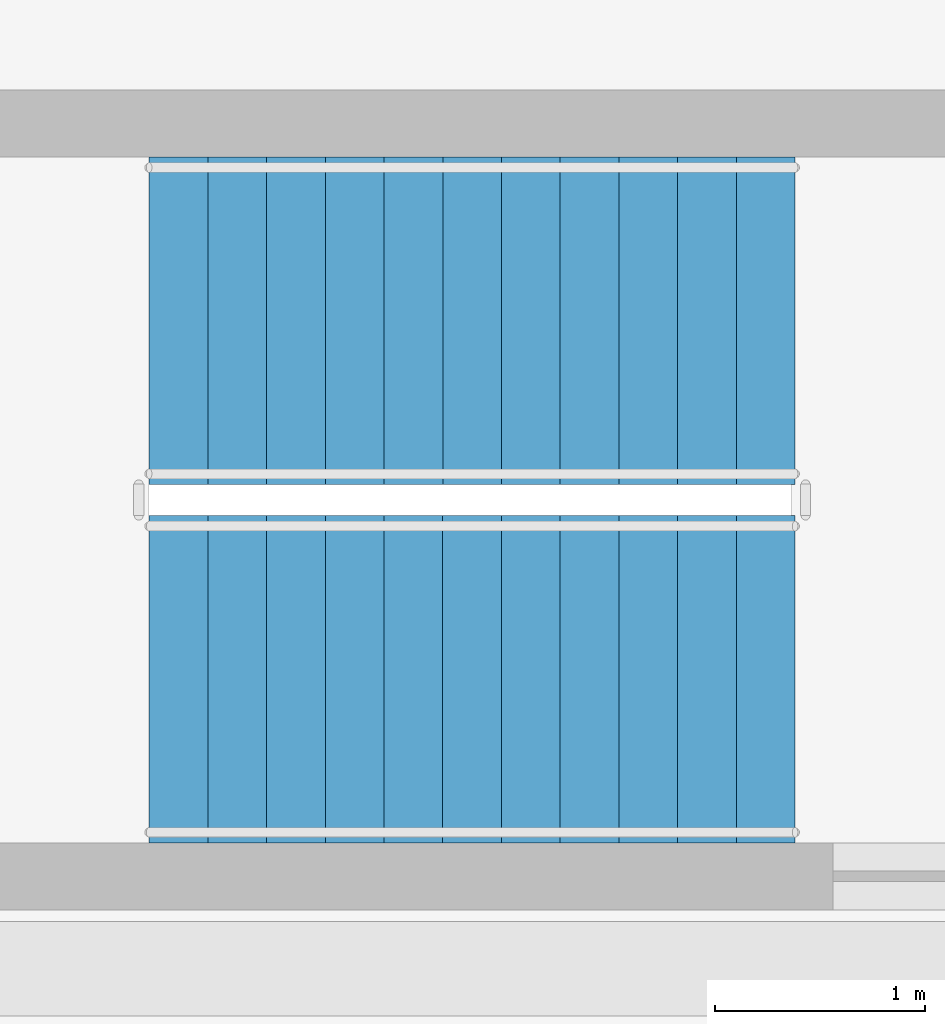
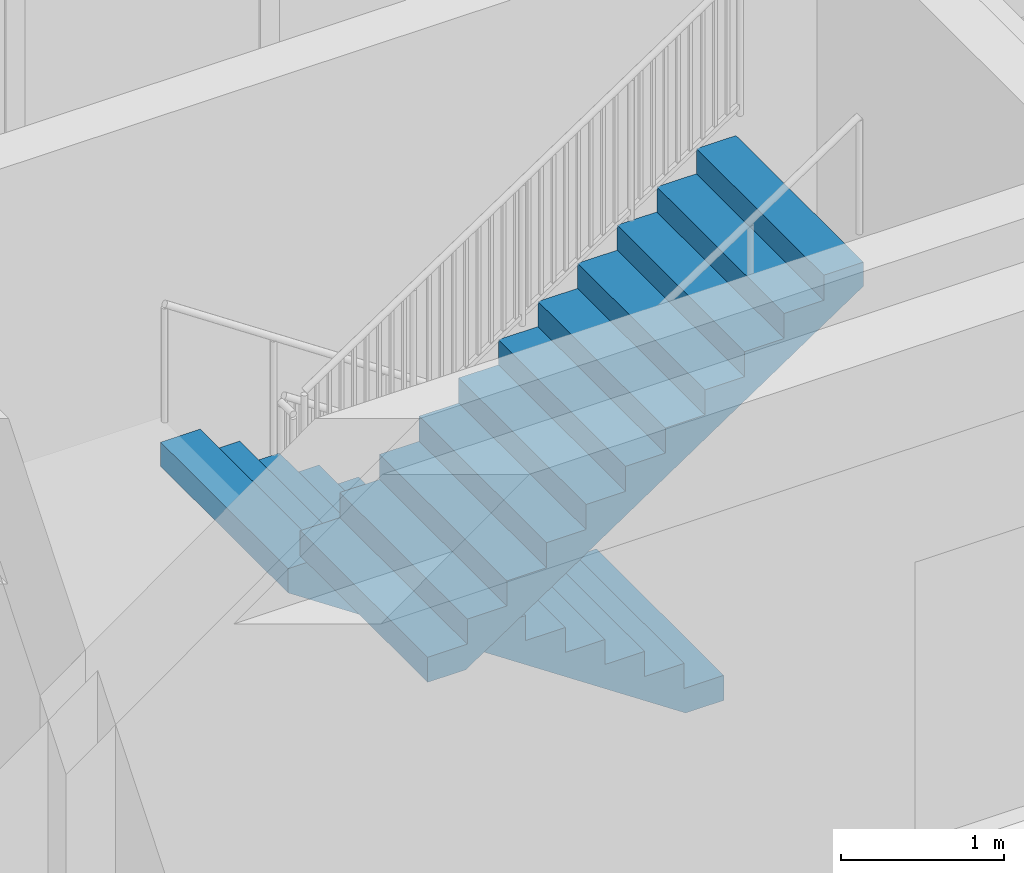
# One storey, part 65 of 79: 2 stair flights, 1 element without a shape of its own.
"""IFC4 building model written with IfcOpenShell, lengths in metres."""

from ifc_helpers import new_model, si_unit, direction, frame, origin, place, context, subcontext, project, spatial, polygons, material, type_object, element, aggregate, save


model = new_model("IFC4")

# Units and contexts
model_context = context("Model", 3, precision=1e-05, world=origin(), true_north=direction((0.0, 1.0)))
body_context = subcontext(model_context, "Body", "Model", "MODEL_VIEW")
ifc_project = project(units=[si_unit("LENGTHUNIT", "METRE"), si_unit("AREAUNIT", "SQUARE_METRE"), si_unit("VOLUMEUNIT", "CUBIC_METRE"), si_unit("PLANEANGLEUNIT", "RADIAN"), si_unit("MASSUNIT", "GRAM", prefix="KILO")], contexts=[model_context])

# Site, building, storey
site_placement = place(None, origin())
site = spatial("IfcSite", under=ifc_project, at=site_placement, CompositionType="ELEMENT")
building_placement = place(site_placement, origin())
building = spatial("IfcBuilding", under=site, at=building_placement, Name="Zantavel Square City Hall", CompositionType="ELEMENT")
storey_placement = place(building_placement, frame((0.0, 0.0, 10.199951171875)))
storey = spatial("IfcBuildingStorey", under=building, at=storey_placement, Name="L03", CompositionType="ELEMENT", Elevation=10.199951171875)

# Stair, stair flights
ifc_material = material(Name="Concrete C35/45", Category="concrete")
stair_type = type_object("IfcStairType", Name="Enclosed Core Dogleg Stair L03 H4500", PredefinedType="HALF_TURN_STAIR", material=ifc_material)
stair_placement = place(storey_placement, origin())
stair = element("IfcStair", 1, at=stair_placement, inside=storey, type_object=stair_type, Name="L03 Exit Stair 6 Central East Core", PredefinedType="HALF_TURN_STAIR")
stair_flight_type = type_object("IfcStairFlightType", Name="Enclosed Core Stair Flight L03 W1560", PredefinedType="STRAIGHT", material=ifc_material)
stair_flight_1_placement = place(storey_placement, frame((101.969970703125, 63.889892578125, 0.0), z_axis=(0.0, 0.0, 1.0), x_axis=(-1.0, 0.0, 0.0)))
stair_flight_1 = element("IfcStairFlight", 2, at=stair_flight_1_placement, type_object=stair_flight_type, Name="ST6 flight 1", NumberOfRisers=12, NumberOfTreads=11, PredefinedType="STRAIGHT", RiserHeight=0.1875, TreadLength=0.28, context=body_context, shape_type="Tessellation", body=[
    polygons([(0.26953125, -0.780029296875, 0.0), (3.080078125, -0.780029296875, 1.882080078125), (3.080078125, -0.780029296875, 2.0625), (2.800048828125, -0.780029296875, 2.0625), (2.800048828125, -0.780029296875, 1.875), (2.52001953125, -0.780029296875, 1.875), (2.52001953125, -0.780029296875, 1.6875), (2.239990234375, -0.780029296875, 1.6875), (2.239990234375, -0.780029296875, 1.5), (1.9599609375, -0.780029296875, 1.5), (1.9599609375, -0.780029296875, 1.3125), (1.679931640625, -0.780029296875, 1.3125), (1.679931640625, -0.780029296875, 1.125), (1.39990234375, -0.780029296875, 1.125), (1.39990234375, -0.780029296875, 0.9375), (1.1201171875, -0.780029296875, 0.9375), (1.1201171875, -0.780029296875, 0.75), (0.840087890625, -0.780029296875, 0.75), (0.840087890625, -0.780029296875, 0.5625), (0.56005859375, -0.780029296875, 0.5625), (0.56005859375, -0.780029296875, 0.375), (0.280029296875, -0.780029296875, 0.375), (0.280029296875, -0.780029296875, 0.1875), (0.0, -0.780029296875, 0.1875), (0.0, -0.780029296875, 0.0), (0.26953125, -0.5849609375, 0.0), (3.080078125, -0.5849609375, 1.882080078125), (3.080078125, -0.5849609375, 2.0625), (2.800048828125, -0.5849609375, 2.0625), (2.800048828125, -0.5849609375, 1.875), (2.52001953125, -0.5849609375, 1.875), (2.52001953125, -0.5849609375, 1.6875), (2.239990234375, -0.5849609375, 1.6875), (2.239990234375, -0.5849609375, 1.5), (1.9599609375, -0.5849609375, 1.5), (1.9599609375, -0.5849609375, 1.3125), (1.679931640625, -0.5849609375, 1.3125), (1.679931640625, -0.5849609375, 1.125), (1.39990234375, -0.5849609375, 1.125), (1.39990234375, -0.5849609375, 0.9375), (1.1201171875, -0.5849609375, 0.9375), (1.1201171875, -0.5849609375, 0.75), (0.840087890625, -0.5849609375, 0.75), (0.840087890625, -0.5849609375, 0.5625), (0.56005859375, -0.5849609375, 0.5625), (0.56005859375, -0.5849609375, 0.375), (0.280029296875, -0.5849609375, 0.375), (0.280029296875, -0.5849609375, 0.1875), (0.0, -0.5849609375, 0.1875), (0.0, -0.5849609375, 0.0), (0.26953125, -0.39013671875, 0.0), (3.080078125, -0.39013671875, 1.882080078125), (3.080078125, -0.39013671875, 2.0625), (2.800048828125, -0.39013671875, 2.0625), (2.800048828125, -0.39013671875, 1.875), (2.52001953125, -0.39013671875, 1.875), (2.52001953125, -0.39013671875, 1.6875), (2.239990234375, -0.39013671875, 1.6875), (2.239990234375, -0.39013671875, 1.5), (1.9599609375, -0.39013671875, 1.5), (1.9599609375, -0.39013671875, 1.3125), (1.679931640625, -0.39013671875, 1.3125), (1.679931640625, -0.39013671875, 1.125), (1.39990234375, -0.39013671875, 1.125), (1.39990234375, -0.39013671875, 0.9375), (1.1201171875, -0.39013671875, 0.9375), (1.1201171875, -0.39013671875, 0.75), (0.840087890625, -0.39013671875, 0.75), (0.840087890625, -0.39013671875, 0.5625), (0.56005859375, -0.39013671875, 0.5625), (0.56005859375, -0.39013671875, 0.375), (0.280029296875, -0.39013671875, 0.375), (0.280029296875, -0.39013671875, 0.1875), (0.0, -0.39013671875, 0.1875), (0.0, -0.39013671875, 0.0), (0.26953125, -0.195068359375, 0.0), (3.080078125, -0.195068359375, 1.882080078125), (3.080078125, -0.195068359375, 2.0625), (2.800048828125, -0.195068359375, 2.0625), (2.800048828125, -0.195068359375, 1.875), (2.52001953125, -0.195068359375, 1.875), (2.52001953125, -0.195068359375, 1.6875), (2.239990234375, -0.195068359375, 1.6875), (2.239990234375, -0.195068359375, 1.5), (1.9599609375, -0.195068359375, 1.5), (1.9599609375, -0.195068359375, 1.3125), (1.679931640625, -0.195068359375, 1.3125), (1.679931640625, -0.195068359375, 1.125), (1.39990234375, -0.195068359375, 1.125), (1.39990234375, -0.195068359375, 0.9375), (1.1201171875, -0.195068359375, 0.9375), (1.1201171875, -0.195068359375, 0.75), (0.840087890625, -0.195068359375, 0.75), (0.840087890625, -0.195068359375, 0.5625), (0.56005859375, -0.195068359375, 0.5625), (0.56005859375, -0.195068359375, 0.375), (0.280029296875, -0.195068359375, 0.375), (0.280029296875, -0.195068359375, 0.1875), (0.0, -0.195068359375, 0.1875), (0.0, -0.195068359375, 0.0), (0.26953125, 0.0, 0.0), (3.080078125, 0.0, 1.882080078125), (3.080078125, 0.0, 2.0625), (2.800048828125, 0.0, 2.0625), (2.800048828125, 0.0, 1.875), (2.52001953125, 0.0, 1.875), (2.52001953125, 0.0, 1.6875), (2.239990234375, 0.0, 1.6875), (2.239990234375, 0.0, 1.5), (1.9599609375, 0.0, 1.5), (1.9599609375, 0.0, 1.3125), (1.679931640625, 0.0, 1.3125), (1.679931640625, 0.0, 1.125), (1.39990234375, 0.0, 1.125), (1.39990234375, 0.0, 0.9375), (1.1201171875, 0.0, 0.9375), (1.1201171875, 0.0, 0.75), (0.840087890625, 0.0, 0.75), (0.840087890625, 0.0, 0.5625), (0.56005859375, 0.0, 0.5625), (0.56005859375, 0.0, 0.375), (0.280029296875, 0.0, 0.375), (0.280029296875, 0.0, 0.1875), (0.0, 0.0, 0.1875), (0.0, 0.0, 0.0), (0.26953125, 0.195068359375, 0.0), (3.080078125, 0.195068359375, 1.882080078125), (3.080078125, 0.195068359375, 2.0625), (2.800048828125, 0.195068359375, 2.0625), (2.800048828125, 0.195068359375, 1.875), (2.52001953125, 0.195068359375, 1.875), (2.52001953125, 0.195068359375, 1.6875), (2.239990234375, 0.195068359375, 1.6875), (2.239990234375, 0.195068359375, 1.5), (1.9599609375, 0.195068359375, 1.5), (1.9599609375, 0.195068359375, 1.3125), (1.679931640625, 0.195068359375, 1.3125), (1.679931640625, 0.195068359375, 1.125), (1.39990234375, 0.195068359375, 1.125), (1.39990234375, 0.195068359375, 0.9375), (1.1201171875, 0.195068359375, 0.9375), (1.1201171875, 0.195068359375, 0.75), (0.840087890625, 0.195068359375, 0.75), (0.840087890625, 0.195068359375, 0.5625), (0.56005859375, 0.195068359375, 0.5625), (0.56005859375, 0.195068359375, 0.375), (0.280029296875, 0.195068359375, 0.375), (0.280029296875, 0.195068359375, 0.1875), (0.0, 0.195068359375, 0.1875), (0.0, 0.195068359375, 0.0), (0.26953125, 0.39013671875, 0.0), (3.080078125, 0.39013671875, 1.882080078125), (3.080078125, 0.39013671875, 2.0625), (2.800048828125, 0.39013671875, 2.0625), (2.800048828125, 0.39013671875, 1.875), (2.52001953125, 0.39013671875, 1.875), (2.52001953125, 0.39013671875, 1.6875), (2.239990234375, 0.39013671875, 1.6875), (2.239990234375, 0.39013671875, 1.5), (1.9599609375, 0.39013671875, 1.5), (1.9599609375, 0.39013671875, 1.3125), (1.679931640625, 0.39013671875, 1.3125), (1.679931640625, 0.39013671875, 1.125), (1.39990234375, 0.39013671875, 1.125), (1.39990234375, 0.39013671875, 0.9375), (1.1201171875, 0.39013671875, 0.9375), (1.1201171875, 0.39013671875, 0.75), (0.840087890625, 0.39013671875, 0.75), (0.840087890625, 0.39013671875, 0.5625), (0.56005859375, 0.39013671875, 0.5625), (0.56005859375, 0.39013671875, 0.375), (0.280029296875, 0.39013671875, 0.375), (0.280029296875, 0.39013671875, 0.1875), (0.0, 0.39013671875, 0.1875), (0.0, 0.39013671875, 0.0), (0.26953125, 0.5849609375, 0.0), (3.080078125, 0.5849609375, 1.882080078125), (3.080078125, 0.5849609375, 2.0625), (2.800048828125, 0.5849609375, 2.0625), (2.800048828125, 0.5849609375, 1.875), (2.52001953125, 0.5849609375, 1.875), (2.52001953125, 0.5849609375, 1.6875), (2.239990234375, 0.5849609375, 1.6875), (2.239990234375, 0.5849609375, 1.5), (1.9599609375, 0.5849609375, 1.5), (1.9599609375, 0.5849609375, 1.3125), (1.679931640625, 0.5849609375, 1.3125), (1.679931640625, 0.5849609375, 1.125), (1.39990234375, 0.5849609375, 1.125), (1.39990234375, 0.5849609375, 0.9375), (1.1201171875, 0.5849609375, 0.9375), (1.1201171875, 0.5849609375, 0.75), (0.840087890625, 0.5849609375, 0.75), (0.840087890625, 0.5849609375, 0.5625), (0.56005859375, 0.5849609375, 0.5625), (0.56005859375, 0.5849609375, 0.375), (0.280029296875, 0.5849609375, 0.375), (0.280029296875, 0.5849609375, 0.1875), (0.0, 0.5849609375, 0.1875), (0.0, 0.5849609375, 0.0), (0.26953125, 0.780029296875, 0.0), (3.080078125, 0.780029296875, 1.882080078125), (3.080078125, 0.780029296875, 2.0625), (2.800048828125, 0.780029296875, 2.0625), (2.800048828125, 0.780029296875, 1.875), (2.52001953125, 0.780029296875, 1.875), (2.52001953125, 0.780029296875, 1.6875), (2.239990234375, 0.780029296875, 1.6875), (2.239990234375, 0.780029296875, 1.5), (1.9599609375, 0.780029296875, 1.5), (1.9599609375, 0.780029296875, 1.3125), (1.679931640625, 0.780029296875, 1.3125), (1.679931640625, 0.780029296875, 1.125), (1.39990234375, 0.780029296875, 1.125), (1.39990234375, 0.780029296875, 0.9375), (1.1201171875, 0.780029296875, 0.9375), (1.1201171875, 0.780029296875, 0.75), (0.840087890625, 0.780029296875, 0.75), (0.840087890625, 0.780029296875, 0.5625), (0.56005859375, 0.780029296875, 0.5625), (0.56005859375, 0.780029296875, 0.375), (0.280029296875, 0.780029296875, 0.375), (0.280029296875, 0.780029296875, 0.1875), (0.0, 0.780029296875, 0.1875), (0.0, 0.780029296875, 0.0)], [[[1, 2, 3, 4, 5, 6, 7, 8, 9, 10, 11, 12, 13, 14, 15, 16, 17, 18, 19, 20, 21, 22, 23, 24, 25]], [[225, 224, 223, 222, 221, 220, 219, 218, 217, 216, 215, 214, 213, 212, 211, 210, 209, 208, 207, 206, 205, 204, 203, 202, 201]], [[1, 26, 27]], [[1, 27, 2]], [[2, 27, 28]], [[2, 28, 3]], [[3, 28, 29]], [[3, 29, 4]], [[4, 29, 30]], [[4, 30, 5]], [[5, 30, 31]], [[5, 31, 6]], [[6, 31, 32]], [[6, 32, 7]], [[7, 32, 33]], [[7, 33, 8]], [[8, 33, 34]], [[8, 34, 9]], [[9, 34, 35]], [[9, 35, 10]], [[10, 35, 36]], [[10, 36, 11]], [[11, 36, 37]], [[11, 37, 12]], [[12, 37, 38]], [[12, 38, 13]], [[13, 38, 39]], [[13, 39, 14]], [[14, 39, 40]], [[14, 40, 15]], [[15, 40, 41]], [[15, 41, 16]], [[16, 41, 42]], [[16, 42, 17]], [[17, 42, 43]], [[17, 43, 18]], [[18, 43, 44]], [[18, 44, 19]], [[19, 44, 45]], [[19, 45, 20]], [[20, 45, 46]], [[20, 46, 21]], [[21, 46, 47]], [[21, 47, 22]], [[22, 47, 48]], [[22, 48, 23]], [[23, 48, 49]], [[23, 49, 24]], [[24, 49, 50]], [[24, 50, 25]], [[25, 50, 26]], [[25, 26, 1]], [[26, 51, 52]], [[26, 52, 27]], [[27, 52, 53]], [[27, 53, 28]], [[28, 53, 54]], [[28, 54, 29]], [[29, 54, 55]], [[29, 55, 30]], [[30, 55, 56]], [[30, 56, 31]], [[31, 56, 57]], [[31, 57, 32]], [[32, 57, 58]], [[32, 58, 33]], [[33, 58, 59]], [[33, 59, 34]], [[34, 59, 60]], [[34, 60, 35]], [[35, 60, 61]], [[35, 61, 36]], [[36, 61, 62]], [[36, 62, 37]], [[37, 62, 63]], [[37, 63, 38]], [[38, 63, 64]], [[38, 64, 39]], [[39, 64, 65]], [[39, 65, 40]], [[40, 65, 66]], [[40, 66, 41]], [[41, 66, 67]], [[41, 67, 42]], [[42, 67, 68]], [[42, 68, 43]], [[43, 68, 69]], [[43, 69, 44]], [[44, 69, 70]], [[44, 70, 45]], [[45, 70, 71]], [[45, 71, 46]], [[46, 71, 72]], [[46, 72, 47]], [[47, 72, 73]], [[47, 73, 48]], [[48, 73, 74]], [[48, 74, 49]], [[49, 74, 75]], [[49, 75, 50]], [[50, 75, 51]], [[50, 51, 26]], [[51, 76, 77]], [[51, 77, 52]], [[52, 77, 78]], [[52, 78, 53]], [[53, 78, 79]], [[53, 79, 54]], [[54, 79, 80]], [[54, 80, 55]], [[55, 80, 81]], [[55, 81, 56]], [[56, 81, 82]], [[56, 82, 57]], [[57, 82, 83]], [[57, 83, 58]], [[58, 83, 84]], [[58, 84, 59]], [[59, 84, 85]], [[59, 85, 60]], [[60, 85, 86]], [[60, 86, 61]], [[61, 86, 87]], [[61, 87, 62]], [[62, 87, 88]], [[62, 88, 63]], [[63, 88, 89]], [[63, 89, 64]], [[64, 89, 90]], [[64, 90, 65]], [[65, 90, 91]], [[65, 91, 66]], [[66, 91, 92]], [[66, 92, 67]], [[67, 92, 93]], [[67, 93, 68]], [[68, 93, 94]], [[68, 94, 69]], [[69, 94, 95]], [[69, 95, 70]], [[70, 95, 96]], [[70, 96, 71]], [[71, 96, 97]], [[71, 97, 72]], [[72, 97, 98]], [[72, 98, 73]], [[73, 98, 99]], [[73, 99, 74]], [[74, 99, 100]], [[74, 100, 75]], [[75, 100, 76]], [[75, 76, 51]], [[76, 101, 102]], [[76, 102, 77]], [[77, 102, 103]], [[77, 103, 78]], [[78, 103, 104]], [[78, 104, 79]], [[79, 104, 105]], [[79, 105, 80]], [[80, 105, 106]], [[80, 106, 81]], [[81, 106, 107]], [[81, 107, 82]], [[82, 107, 108]], [[82, 108, 83]], [[83, 108, 109]], [[83, 109, 84]], [[84, 109, 110]], [[84, 110, 85]], [[85, 110, 111]], [[85, 111, 86]], [[86, 111, 112]], [[86, 112, 87]], [[87, 112, 113]], [[87, 113, 88]], [[88, 113, 114]], [[88, 114, 89]], [[89, 114, 115]], [[89, 115, 90]], [[90, 115, 116]], [[90, 116, 91]], [[91, 116, 117]], [[91, 117, 92]], [[92, 117, 118]], [[92, 118, 93]], [[93, 118, 119]], [[93, 119, 94]], [[94, 119, 120]], [[94, 120, 95]], [[95, 120, 121]], [[95, 121, 96]], [[96, 121, 122]], [[96, 122, 97]], [[97, 122, 123]], [[97, 123, 98]], [[98, 123, 124]], [[98, 124, 99]], [[99, 124, 125]], [[99, 125, 100]], [[100, 125, 101]], [[100, 101, 76]], [[101, 126, 102]], [[126, 127, 102]], [[102, 127, 103]], [[127, 128, 103]], [[103, 128, 104]], [[128, 129, 104]], [[104, 129, 105]], [[129, 130, 105]], [[105, 130, 106]], [[130, 131, 106]], [[106, 131, 107]], [[131, 132, 107]], [[107, 132, 108]], [[132, 133, 108]], [[108, 133, 109]], [[133, 134, 109]], [[109, 134, 110]], [[134, 135, 110]], [[110, 135, 111]], [[135, 136, 111]], [[111, 136, 112]], [[136, 137, 112]], [[112, 137, 113]], [[137, 138, 113]], [[113, 138, 114]], [[138, 139, 114]], [[114, 139, 115]], [[139, 140, 115]], [[115, 140, 116]], [[140, 141, 116]], [[116, 141, 117]], [[141, 142, 117]], [[117, 142, 118]], [[142, 143, 118]], [[118, 143, 119]], [[143, 144, 119]], [[119, 144, 120]], [[144, 145, 120]], [[120, 145, 121]], [[145, 146, 121]], [[121, 146, 122]], [[146, 147, 122]], [[122, 147, 123]], [[147, 148, 123]], [[123, 148, 124]], [[148, 149, 124]], [[124, 149, 125]], [[149, 150, 125]], [[125, 150, 101]], [[150, 126, 101]], [[126, 151, 127]], [[151, 152, 127]], [[127, 152, 128]], [[152, 153, 128]], [[128, 153, 129]], [[153, 154, 129]], [[129, 154, 130]], [[154, 155, 130]], [[130, 155, 131]], [[155, 156, 131]], [[131, 156, 132]], [[156, 157, 132]], [[132, 157, 133]], [[157, 158, 133]], [[133, 158, 134]], [[158, 159, 134]], [[134, 159, 135]], [[159, 160, 135]], [[135, 160, 136]], [[160, 161, 136]], [[136, 161, 137]], [[161, 162, 137]], [[137, 162, 138]], [[162, 163, 138]], [[138, 163, 139]], [[163, 164, 139]], [[139, 164, 140]], [[164, 165, 140]], [[140, 165, 141]], [[165, 166, 141]], [[141, 166, 142]], [[166, 167, 142]], [[142, 167, 143]], [[167, 168, 143]], [[143, 168, 144]], [[168, 169, 144]], [[144, 169, 145]], [[169, 170, 145]], [[145, 170, 146]], [[170, 171, 146]], [[146, 171, 147]], [[171, 172, 147]], [[147, 172, 148]], [[172, 173, 148]], [[148, 173, 149]], [[173, 174, 149]], [[149, 174, 150]], [[174, 175, 150]], [[150, 175, 126]], [[175, 151, 126]], [[151, 176, 152]], [[176, 177, 152]], [[152, 177, 153]], [[177, 178, 153]], [[153, 178, 154]], [[178, 179, 154]], [[154, 179, 155]], [[179, 180, 155]], [[155, 180, 156]], [[180, 181, 156]], [[156, 181, 157]], [[181, 182, 157]], [[157, 182, 158]], [[182, 183, 158]], [[158, 183, 159]], [[183, 184, 159]], [[159, 184, 160]], [[184, 185, 160]], [[160, 185, 161]], [[185, 186, 161]], [[161, 186, 162]], [[186, 187, 162]], [[162, 187, 163]], [[187, 188, 163]], [[163, 188, 164]], [[188, 189, 164]], [[164, 189, 165]], [[189, 190, 165]], [[165, 190, 166]], [[190, 191, 166]], [[166, 191, 167]], [[191, 192, 167]], [[167, 192, 168]], [[192, 193, 168]], [[168, 193, 169]], [[193, 194, 169]], [[169, 194, 170]], [[194, 195, 170]], [[170, 195, 171]], [[195, 196, 171]], [[171, 196, 172]], [[196, 197, 172]], [[172, 197, 173]], [[197, 198, 173]], [[173, 198, 174]], [[198, 199, 174]], [[174, 199, 175]], [[199, 200, 175]], [[175, 200, 151]], [[200, 176, 151]], [[176, 201, 177]], [[201, 202, 177]], [[177, 202, 178]], [[202, 203, 178]], [[178, 203, 179]], [[203, 204, 179]], [[179, 204, 180]], [[204, 205, 180]], [[180, 205, 181]], [[205, 206, 181]], [[181, 206, 182]], [[206, 207, 182]], [[182, 207, 183]], [[207, 208, 183]], [[183, 208, 184]], [[208, 209, 184]], [[184, 209, 185]], [[209, 210, 185]], [[185, 210, 186]], [[210, 211, 186]], [[186, 211, 187]], [[211, 212, 187]], [[187, 212, 188]], [[212, 213, 188]], [[188, 213, 189]], [[213, 214, 189]], [[189, 214, 190]], [[214, 215, 190]], [[190, 215, 191]], [[215, 216, 191]], [[191, 216, 192]], [[216, 217, 192]], [[192, 217, 193]], [[217, 218, 193]], [[193, 218, 194]], [[218, 219, 194]], [[194, 219, 195]], [[219, 220, 195]], [[195, 220, 196]], [[220, 221, 196]], [[196, 221, 197]], [[221, 222, 197]], [[197, 222, 198]], [[222, 223, 198]], [[198, 223, 199]], [[223, 224, 199]], [[199, 224, 200]], [[224, 225, 200]], [[200, 225, 176]], [[225, 201, 176]]], closed=True),
])
stair_flight_2_placement = place(storey_placement, frame((98.889892578125, 62.179931640625, 2.25), z_axis=(0.0, 0.0, 1.0), x_axis=(1.0, 0.0, 0.0)))
stair_flight_2 = element("IfcStairFlight", 3, at=stair_flight_2_placement, type_object=stair_flight_type, Name="ST6 flight 2", NumberOfRisers=12, NumberOfTreads=11, PredefinedType="STRAIGHT", RiserHeight=0.1875, TreadLength=0.28, context=body_context, shape_type="Tessellation", body=[
    polygons([(0.26953125, -0.780029296875, 0.0), (3.080078125, -0.780029296875, 1.882080078125), (3.080078125, -0.780029296875, 2.0625), (2.800048828125, -0.780029296875, 2.0625), (2.800048828125, -0.780029296875, 1.875), (2.52001953125, -0.780029296875, 1.875), (2.52001953125, -0.780029296875, 1.6875), (2.239990234375, -0.780029296875, 1.6875), (2.239990234375, -0.780029296875, 1.5), (1.9599609375, -0.780029296875, 1.5), (1.9599609375, -0.780029296875, 1.3125), (1.679931640625, -0.780029296875, 1.3125), (1.679931640625, -0.780029296875, 1.125), (1.39990234375, -0.780029296875, 1.125), (1.39990234375, -0.780029296875, 0.9375), (1.1201171875, -0.780029296875, 0.9375), (1.1201171875, -0.780029296875, 0.75), (0.840087890625, -0.780029296875, 0.75), (0.840087890625, -0.780029296875, 0.5625), (0.56005859375, -0.780029296875, 0.5625), (0.56005859375, -0.780029296875, 0.375), (0.280029296875, -0.780029296875, 0.375), (0.280029296875, -0.780029296875, 0.1875), (0.0, -0.780029296875, 0.1875), (0.0, -0.780029296875, 0.0), (0.26953125, -0.5849609375, 0.0), (3.080078125, -0.5849609375, 1.882080078125), (3.080078125, -0.5849609375, 2.0625), (2.800048828125, -0.5849609375, 2.0625), (2.800048828125, -0.5849609375, 1.875), (2.52001953125, -0.5849609375, 1.875), (2.52001953125, -0.5849609375, 1.6875), (2.239990234375, -0.5849609375, 1.6875), (2.239990234375, -0.5849609375, 1.5), (1.9599609375, -0.5849609375, 1.5), (1.9599609375, -0.5849609375, 1.3125), (1.679931640625, -0.5849609375, 1.3125), (1.679931640625, -0.5849609375, 1.125), (1.39990234375, -0.5849609375, 1.125), (1.39990234375, -0.5849609375, 0.9375), (1.1201171875, -0.5849609375, 0.9375), (1.1201171875, -0.5849609375, 0.75), (0.840087890625, -0.5849609375, 0.75), (0.840087890625, -0.5849609375, 0.5625), (0.56005859375, -0.5849609375, 0.5625), (0.56005859375, -0.5849609375, 0.375), (0.280029296875, -0.5849609375, 0.375), (0.280029296875, -0.5849609375, 0.1875), (0.0, -0.5849609375, 0.1875), (0.0, -0.5849609375, 0.0), (0.26953125, -0.39013671875, 0.0), (3.080078125, -0.39013671875, 1.882080078125), (3.080078125, -0.39013671875, 2.0625), (2.800048828125, -0.39013671875, 2.0625), (2.800048828125, -0.39013671875, 1.875), (2.52001953125, -0.39013671875, 1.875), (2.52001953125, -0.39013671875, 1.6875), (2.239990234375, -0.39013671875, 1.6875), (2.239990234375, -0.39013671875, 1.5), (1.9599609375, -0.39013671875, 1.5), (1.9599609375, -0.39013671875, 1.3125), (1.679931640625, -0.39013671875, 1.3125), (1.679931640625, -0.39013671875, 1.125), (1.39990234375, -0.39013671875, 1.125), (1.39990234375, -0.39013671875, 0.9375), (1.1201171875, -0.39013671875, 0.9375), (1.1201171875, -0.39013671875, 0.75), (0.840087890625, -0.39013671875, 0.75), (0.840087890625, -0.39013671875, 0.5625), (0.56005859375, -0.39013671875, 0.5625), (0.56005859375, -0.39013671875, 0.375), (0.280029296875, -0.39013671875, 0.375), (0.280029296875, -0.39013671875, 0.1875), (0.0, -0.39013671875, 0.1875), (0.0, -0.39013671875, 0.0), (0.26953125, -0.195068359375, 0.0), (3.080078125, -0.195068359375, 1.882080078125), (3.080078125, -0.195068359375, 2.0625), (2.800048828125, -0.195068359375, 2.0625), (2.800048828125, -0.195068359375, 1.875), (2.52001953125, -0.195068359375, 1.875), (2.52001953125, -0.195068359375, 1.6875), (2.239990234375, -0.195068359375, 1.6875), (2.239990234375, -0.195068359375, 1.5), (1.9599609375, -0.195068359375, 1.5), (1.9599609375, -0.195068359375, 1.3125), (1.679931640625, -0.195068359375, 1.3125), (1.679931640625, -0.195068359375, 1.125), (1.39990234375, -0.195068359375, 1.125), (1.39990234375, -0.195068359375, 0.9375), (1.1201171875, -0.195068359375, 0.9375), (1.1201171875, -0.195068359375, 0.75), (0.840087890625, -0.195068359375, 0.75), (0.840087890625, -0.195068359375, 0.5625), (0.56005859375, -0.195068359375, 0.5625), (0.56005859375, -0.195068359375, 0.375), (0.280029296875, -0.195068359375, 0.375), (0.280029296875, -0.195068359375, 0.1875), (0.0, -0.195068359375, 0.1875), (0.0, -0.195068359375, 0.0), (0.26953125, 0.0, 0.0), (3.080078125, 0.0, 1.882080078125), (3.080078125, 0.0, 2.0625), (2.800048828125, 0.0, 2.0625), (2.800048828125, 0.0, 1.875), (2.52001953125, 0.0, 1.875), (2.52001953125, 0.0, 1.6875), (2.239990234375, 0.0, 1.6875), (2.239990234375, 0.0, 1.5), (1.9599609375, 0.0, 1.5), (1.9599609375, 0.0, 1.3125), (1.679931640625, 0.0, 1.3125), (1.679931640625, 0.0, 1.125), (1.39990234375, 0.0, 1.125), (1.39990234375, 0.0, 0.9375), (1.1201171875, 0.0, 0.9375), (1.1201171875, 0.0, 0.75), (0.840087890625, 0.0, 0.75), (0.840087890625, 0.0, 0.5625), (0.56005859375, 0.0, 0.5625), (0.56005859375, 0.0, 0.375), (0.280029296875, 0.0, 0.375), (0.280029296875, 0.0, 0.1875), (0.0, 0.0, 0.1875), (0.0, 0.0, 0.0), (0.26953125, 0.195068359375, 0.0), (3.080078125, 0.195068359375, 1.882080078125), (3.080078125, 0.195068359375, 2.0625), (2.800048828125, 0.195068359375, 2.0625), (2.800048828125, 0.195068359375, 1.875), (2.52001953125, 0.195068359375, 1.875), (2.52001953125, 0.195068359375, 1.6875), (2.239990234375, 0.195068359375, 1.6875), (2.239990234375, 0.195068359375, 1.5), (1.9599609375, 0.195068359375, 1.5), (1.9599609375, 0.195068359375, 1.3125), (1.679931640625, 0.195068359375, 1.3125), (1.679931640625, 0.195068359375, 1.125), (1.39990234375, 0.195068359375, 1.125), (1.39990234375, 0.195068359375, 0.9375), (1.1201171875, 0.195068359375, 0.9375), (1.1201171875, 0.195068359375, 0.75), (0.840087890625, 0.195068359375, 0.75), (0.840087890625, 0.195068359375, 0.5625), (0.56005859375, 0.195068359375, 0.5625), (0.56005859375, 0.195068359375, 0.375), (0.280029296875, 0.195068359375, 0.375), (0.280029296875, 0.195068359375, 0.1875), (0.0, 0.195068359375, 0.1875), (0.0, 0.195068359375, 0.0), (0.26953125, 0.39013671875, 0.0), (3.080078125, 0.39013671875, 1.882080078125), (3.080078125, 0.39013671875, 2.0625), (2.800048828125, 0.39013671875, 2.0625), (2.800048828125, 0.39013671875, 1.875), (2.52001953125, 0.39013671875, 1.875), (2.52001953125, 0.39013671875, 1.6875), (2.239990234375, 0.39013671875, 1.6875), (2.239990234375, 0.39013671875, 1.5), (1.9599609375, 0.39013671875, 1.5), (1.9599609375, 0.39013671875, 1.3125), (1.679931640625, 0.39013671875, 1.3125), (1.679931640625, 0.39013671875, 1.125), (1.39990234375, 0.39013671875, 1.125), (1.39990234375, 0.39013671875, 0.9375), (1.1201171875, 0.39013671875, 0.9375), (1.1201171875, 0.39013671875, 0.75), (0.840087890625, 0.39013671875, 0.75), (0.840087890625, 0.39013671875, 0.5625), (0.56005859375, 0.39013671875, 0.5625), (0.56005859375, 0.39013671875, 0.375), (0.280029296875, 0.39013671875, 0.375), (0.280029296875, 0.39013671875, 0.1875), (0.0, 0.39013671875, 0.1875), (0.0, 0.39013671875, 0.0), (0.26953125, 0.5849609375, 0.0), (3.080078125, 0.5849609375, 1.882080078125), (3.080078125, 0.5849609375, 2.0625), (2.800048828125, 0.5849609375, 2.0625), (2.800048828125, 0.5849609375, 1.875), (2.52001953125, 0.5849609375, 1.875), (2.52001953125, 0.5849609375, 1.6875), (2.239990234375, 0.5849609375, 1.6875), (2.239990234375, 0.5849609375, 1.5), (1.9599609375, 0.5849609375, 1.5), (1.9599609375, 0.5849609375, 1.3125), (1.679931640625, 0.5849609375, 1.3125), (1.679931640625, 0.5849609375, 1.125), (1.39990234375, 0.5849609375, 1.125), (1.39990234375, 0.5849609375, 0.9375), (1.1201171875, 0.5849609375, 0.9375), (1.1201171875, 0.5849609375, 0.75), (0.840087890625, 0.5849609375, 0.75), (0.840087890625, 0.5849609375, 0.5625), (0.56005859375, 0.5849609375, 0.5625), (0.56005859375, 0.5849609375, 0.375), (0.280029296875, 0.5849609375, 0.375), (0.280029296875, 0.5849609375, 0.1875), (0.0, 0.5849609375, 0.1875), (0.0, 0.5849609375, 0.0), (0.26953125, 0.780029296875, 0.0), (3.080078125, 0.780029296875, 1.882080078125), (3.080078125, 0.780029296875, 2.0625), (2.800048828125, 0.780029296875, 2.0625), (2.800048828125, 0.780029296875, 1.875), (2.52001953125, 0.780029296875, 1.875), (2.52001953125, 0.780029296875, 1.6875), (2.239990234375, 0.780029296875, 1.6875), (2.239990234375, 0.780029296875, 1.5), (1.9599609375, 0.780029296875, 1.5), (1.9599609375, 0.780029296875, 1.3125), (1.679931640625, 0.780029296875, 1.3125), (1.679931640625, 0.780029296875, 1.125), (1.39990234375, 0.780029296875, 1.125), (1.39990234375, 0.780029296875, 0.9375), (1.1201171875, 0.780029296875, 0.9375), (1.1201171875, 0.780029296875, 0.75), (0.840087890625, 0.780029296875, 0.75), (0.840087890625, 0.780029296875, 0.5625), (0.56005859375, 0.780029296875, 0.5625), (0.56005859375, 0.780029296875, 0.375), (0.280029296875, 0.780029296875, 0.375), (0.280029296875, 0.780029296875, 0.1875), (0.0, 0.780029296875, 0.1875), (0.0, 0.780029296875, 0.0)], [[[1, 2, 3, 4, 5, 6, 7, 8, 9, 10, 11, 12, 13, 14, 15, 16, 17, 18, 19, 20, 21, 22, 23, 24, 25]], [[225, 224, 223, 222, 221, 220, 219, 218, 217, 216, 215, 214, 213, 212, 211, 210, 209, 208, 207, 206, 205, 204, 203, 202, 201]], [[1, 26, 27]], [[1, 27, 2]], [[2, 27, 28]], [[2, 28, 3]], [[3, 28, 29]], [[3, 29, 4]], [[4, 29, 30]], [[4, 30, 5]], [[5, 30, 31]], [[5, 31, 6]], [[6, 31, 32]], [[6, 32, 7]], [[7, 32, 33]], [[7, 33, 8]], [[8, 33, 34]], [[8, 34, 9]], [[9, 34, 35]], [[9, 35, 10]], [[10, 35, 36]], [[10, 36, 11]], [[11, 36, 37]], [[11, 37, 12]], [[12, 37, 38]], [[12, 38, 13]], [[13, 38, 39]], [[13, 39, 14]], [[14, 39, 40]], [[14, 40, 15]], [[15, 40, 41]], [[15, 41, 16]], [[16, 41, 42]], [[16, 42, 17]], [[17, 42, 43]], [[17, 43, 18]], [[18, 43, 44]], [[18, 44, 19]], [[19, 44, 45]], [[19, 45, 20]], [[20, 45, 46]], [[20, 46, 21]], [[21, 46, 47]], [[21, 47, 22]], [[22, 47, 48]], [[22, 48, 23]], [[23, 48, 49]], [[23, 49, 24]], [[24, 49, 50]], [[24, 50, 25]], [[25, 50, 26]], [[25, 26, 1]], [[26, 51, 52]], [[26, 52, 27]], [[27, 52, 53]], [[27, 53, 28]], [[28, 53, 54]], [[28, 54, 29]], [[29, 54, 55]], [[29, 55, 30]], [[30, 55, 56]], [[30, 56, 31]], [[31, 56, 57]], [[31, 57, 32]], [[32, 57, 58]], [[32, 58, 33]], [[33, 58, 59]], [[33, 59, 34]], [[34, 59, 60]], [[34, 60, 35]], [[35, 60, 61]], [[35, 61, 36]], [[36, 61, 62]], [[36, 62, 37]], [[37, 62, 63]], [[37, 63, 38]], [[38, 63, 64]], [[38, 64, 39]], [[39, 64, 65]], [[39, 65, 40]], [[40, 65, 66]], [[40, 66, 41]], [[41, 66, 67]], [[41, 67, 42]], [[42, 67, 68]], [[42, 68, 43]], [[43, 68, 69]], [[43, 69, 44]], [[44, 69, 70]], [[44, 70, 45]], [[45, 70, 71]], [[45, 71, 46]], [[46, 71, 72]], [[46, 72, 47]], [[47, 72, 73]], [[47, 73, 48]], [[48, 73, 74]], [[48, 74, 49]], [[49, 74, 75]], [[49, 75, 50]], [[50, 75, 51]], [[50, 51, 26]], [[51, 76, 77]], [[51, 77, 52]], [[52, 77, 78]], [[52, 78, 53]], [[53, 78, 79]], [[53, 79, 54]], [[54, 79, 80]], [[54, 80, 55]], [[55, 80, 81]], [[55, 81, 56]], [[56, 81, 82]], [[56, 82, 57]], [[57, 82, 83]], [[57, 83, 58]], [[58, 83, 84]], [[58, 84, 59]], [[59, 84, 85]], [[59, 85, 60]], [[60, 85, 86]], [[60, 86, 61]], [[61, 86, 87]], [[61, 87, 62]], [[62, 87, 88]], [[62, 88, 63]], [[63, 88, 89]], [[63, 89, 64]], [[64, 89, 90]], [[64, 90, 65]], [[65, 90, 91]], [[65, 91, 66]], [[66, 91, 92]], [[66, 92, 67]], [[67, 92, 93]], [[67, 93, 68]], [[68, 93, 94]], [[68, 94, 69]], [[69, 94, 95]], [[69, 95, 70]], [[70, 95, 96]], [[70, 96, 71]], [[71, 96, 97]], [[71, 97, 72]], [[72, 97, 98]], [[72, 98, 73]], [[73, 98, 99]], [[73, 99, 74]], [[74, 99, 100]], [[74, 100, 75]], [[75, 100, 76]], [[75, 76, 51]], [[76, 101, 102]], [[76, 102, 77]], [[77, 102, 103]], [[77, 103, 78]], [[78, 103, 104]], [[78, 104, 79]], [[79, 104, 105]], [[79, 105, 80]], [[80, 105, 106]], [[80, 106, 81]], [[81, 106, 107]], [[81, 107, 82]], [[82, 107, 108]], [[82, 108, 83]], [[83, 108, 109]], [[83, 109, 84]], [[84, 109, 110]], [[84, 110, 85]], [[85, 110, 111]], [[85, 111, 86]], [[86, 111, 112]], [[86, 112, 87]], [[87, 112, 113]], [[87, 113, 88]], [[88, 113, 114]], [[88, 114, 89]], [[89, 114, 115]], [[89, 115, 90]], [[90, 115, 116]], [[90, 116, 91]], [[91, 116, 117]], [[91, 117, 92]], [[92, 117, 118]], [[92, 118, 93]], [[93, 118, 119]], [[93, 119, 94]], [[94, 119, 120]], [[94, 120, 95]], [[95, 120, 121]], [[95, 121, 96]], [[96, 121, 122]], [[96, 122, 97]], [[97, 122, 123]], [[97, 123, 98]], [[98, 123, 124]], [[98, 124, 99]], [[99, 124, 125]], [[99, 125, 100]], [[100, 125, 101]], [[100, 101, 76]], [[101, 126, 102]], [[126, 127, 102]], [[102, 127, 103]], [[127, 128, 103]], [[103, 128, 104]], [[128, 129, 104]], [[104, 129, 105]], [[129, 130, 105]], [[105, 130, 106]], [[130, 131, 106]], [[106, 131, 107]], [[131, 132, 107]], [[107, 132, 108]], [[132, 133, 108]], [[108, 133, 109]], [[133, 134, 109]], [[109, 134, 110]], [[134, 135, 110]], [[110, 135, 111]], [[135, 136, 111]], [[111, 136, 112]], [[136, 137, 112]], [[112, 137, 113]], [[137, 138, 113]], [[113, 138, 114]], [[138, 139, 114]], [[114, 139, 115]], [[139, 140, 115]], [[115, 140, 116]], [[140, 141, 116]], [[116, 141, 117]], [[141, 142, 117]], [[117, 142, 118]], [[142, 143, 118]], [[118, 143, 119]], [[143, 144, 119]], [[119, 144, 120]], [[144, 145, 120]], [[120, 145, 121]], [[145, 146, 121]], [[121, 146, 122]], [[146, 147, 122]], [[122, 147, 123]], [[147, 148, 123]], [[123, 148, 124]], [[148, 149, 124]], [[124, 149, 125]], [[149, 150, 125]], [[125, 150, 101]], [[150, 126, 101]], [[126, 151, 127]], [[151, 152, 127]], [[127, 152, 128]], [[152, 153, 128]], [[128, 153, 129]], [[153, 154, 129]], [[129, 154, 130]], [[154, 155, 130]], [[130, 155, 131]], [[155, 156, 131]], [[131, 156, 132]], [[156, 157, 132]], [[132, 157, 133]], [[157, 158, 133]], [[133, 158, 134]], [[158, 159, 134]], [[134, 159, 135]], [[159, 160, 135]], [[135, 160, 136]], [[160, 161, 136]], [[136, 161, 137]], [[161, 162, 137]], [[137, 162, 138]], [[162, 163, 138]], [[138, 163, 139]], [[163, 164, 139]], [[139, 164, 140]], [[164, 165, 140]], [[140, 165, 141]], [[165, 166, 141]], [[141, 166, 142]], [[166, 167, 142]], [[142, 167, 143]], [[167, 168, 143]], [[143, 168, 144]], [[168, 169, 144]], [[144, 169, 145]], [[169, 170, 145]], [[145, 170, 146]], [[170, 171, 146]], [[146, 171, 147]], [[171, 172, 147]], [[147, 172, 148]], [[172, 173, 148]], [[148, 173, 149]], [[173, 174, 149]], [[149, 174, 150]], [[174, 175, 150]], [[150, 175, 126]], [[175, 151, 126]], [[151, 176, 152]], [[176, 177, 152]], [[152, 177, 153]], [[177, 178, 153]], [[153, 178, 154]], [[178, 179, 154]], [[154, 179, 155]], [[179, 180, 155]], [[155, 180, 156]], [[180, 181, 156]], [[156, 181, 157]], [[181, 182, 157]], [[157, 182, 158]], [[182, 183, 158]], [[158, 183, 159]], [[183, 184, 159]], [[159, 184, 160]], [[184, 185, 160]], [[160, 185, 161]], [[185, 186, 161]], [[161, 186, 162]], [[186, 187, 162]], [[162, 187, 163]], [[187, 188, 163]], [[163, 188, 164]], [[188, 189, 164]], [[164, 189, 165]], [[189, 190, 165]], [[165, 190, 166]], [[190, 191, 166]], [[166, 191, 167]], [[191, 192, 167]], [[167, 192, 168]], [[192, 193, 168]], [[168, 193, 169]], [[193, 194, 169]], [[169, 194, 170]], [[194, 195, 170]], [[170, 195, 171]], [[195, 196, 171]], [[171, 196, 172]], [[196, 197, 172]], [[172, 197, 173]], [[197, 198, 173]], [[173, 198, 174]], [[198, 199, 174]], [[174, 199, 175]], [[199, 200, 175]], [[175, 200, 151]], [[200, 176, 151]], [[176, 201, 177]], [[201, 202, 177]], [[177, 202, 178]], [[202, 203, 178]], [[178, 203, 179]], [[203, 204, 179]], [[179, 204, 180]], [[204, 205, 180]], [[180, 205, 181]], [[205, 206, 181]], [[181, 206, 182]], [[206, 207, 182]], [[182, 207, 183]], [[207, 208, 183]], [[183, 208, 184]], [[208, 209, 184]], [[184, 209, 185]], [[209, 210, 185]], [[185, 210, 186]], [[210, 211, 186]], [[186, 211, 187]], [[211, 212, 187]], [[187, 212, 188]], [[212, 213, 188]], [[188, 213, 189]], [[213, 214, 189]], [[189, 214, 190]], [[214, 215, 190]], [[190, 215, 191]], [[215, 216, 191]], [[191, 216, 192]], [[216, 217, 192]], [[192, 217, 193]], [[217, 218, 193]], [[193, 218, 194]], [[218, 219, 194]], [[194, 219, 195]], [[219, 220, 195]], [[195, 220, 196]], [[220, 221, 196]], [[196, 221, 197]], [[221, 222, 197]], [[197, 222, 198]], [[222, 223, 198]], [[198, 223, 199]], [[223, 224, 199]], [[199, 224, 200]], [[224, 225, 200]], [[200, 225, 176]], [[225, 201, 176]]], closed=True),
])
aggregate(stair, [stair_flight_1, stair_flight_2])

save(model, "model.ifc")
